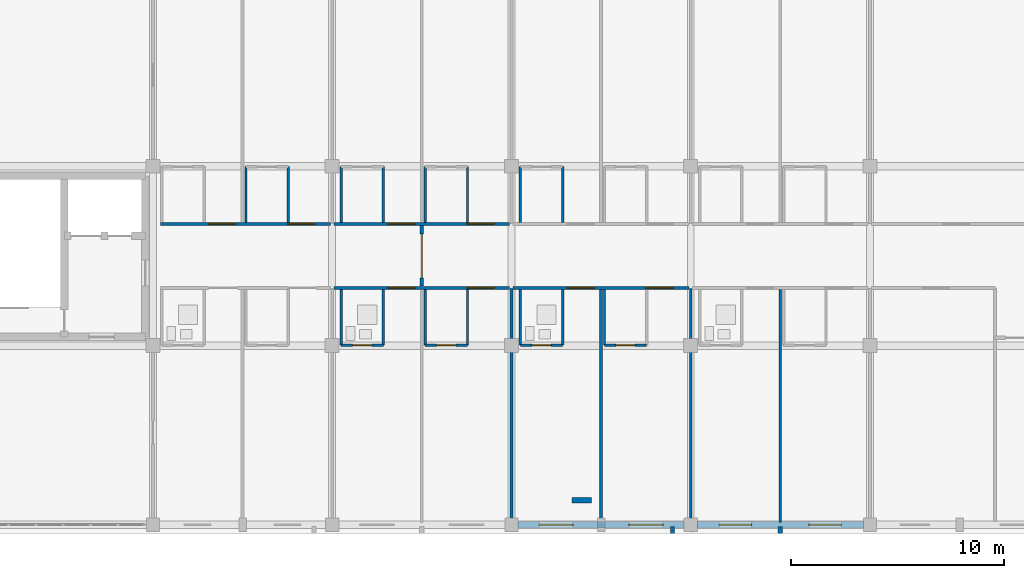
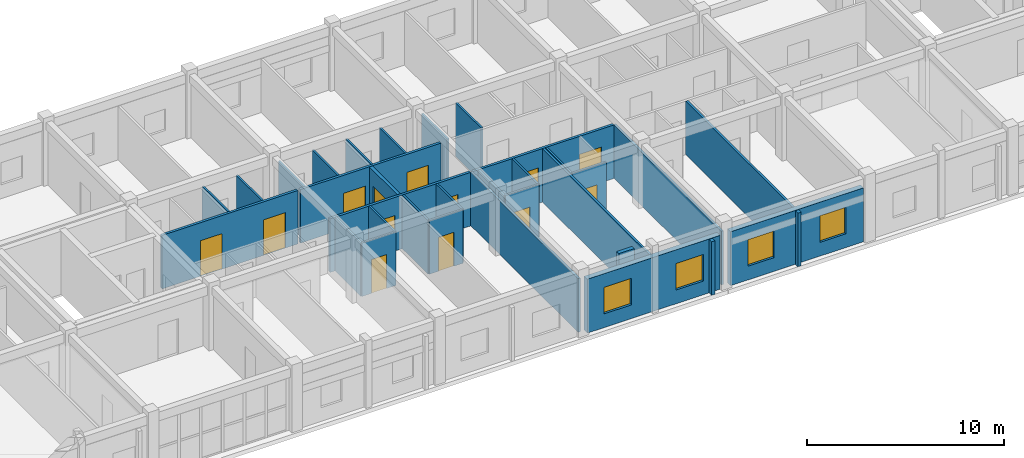
# One storey, part 59 of 81: 33 walls, 13 doors, 4 windows, 17 openings.
"""IFC4 building model written with IfcOpenShell, lengths in metres."""

import ifcopenshell
import ifcopenshell.guid

model = None  # the IFC model being written
_history = None  # IfcOwnerHistory: only IFC2X3 demands one
_inside = {}  # id of a spatial element -> (the spatial element, [elements in it])
_under = {}  # id of a project, library or spatial element -> (it, [spatial elements below it])
_declared = {}  # id of a project -> (the project, [libraries it declares])
_typed = {}  # id of a type object -> (the type object, [elements of that type])
_made_of = {}  # id of a material, layer set ... -> (it, [elements and type objects made of it])


def new_model(schema):
    """Start an empty IFC model of exactly this schema.

    Asked for "IFC4X3", IfcOpenShell would pick the latest addendum, in which some entities
    have other attributes; the version numbers below select the first issue.
    IFC2X3 requires an IfcOwnerHistory on every rooted entity: one is made here for all.
    """
    global model, _history
    if schema == "IFC4X3":
        model = ifcopenshell.file(schema_version=(4, 3, 0, 0))
    else:
        model = ifcopenshell.file(schema=schema)
    _inside.clear()
    _under.clear()
    _declared.clear()
    _typed.clear()
    _made_of.clear()
    _history = None
    if model.schema == "IFC2X3":
        org = make("IfcOrganization", Name="unknown")
        user = make(
            "IfcPersonAndOrganization",
            ThePerson=make("IfcPerson", FamilyName="unknown"),
            TheOrganization=org,
        )
        app = make(
            "IfcApplication",
            ApplicationDeveloper=org,
            Version="unknown",
            ApplicationFullName="unknown",
            ApplicationIdentifier="unknown",
        )
        _history = make(
            "IfcOwnerHistory",
            OwningUser=user,
            OwningApplication=app,
            ChangeAction="ADDED",
            CreationDate=0,
        )
    return model


def make(cls, **values):
    """One entity of the class cls with the attributes given. An attribute that is None is left unset."""
    return model.create_entity(
        cls, **{name: value for name, value in values.items() if value is not None}
    )


def rooted(cls, **values):
    """An entity with a GlobalId (a new one), such as an element, a storey or a relation."""
    return make(cls, GlobalId=ifcopenshell.guid.new(), OwnerHistory=_history, **values)


def si_unit(unit_type, name, prefix=None):
    """IfcSIUnit, for example si_unit("LENGTHUNIT", "METRE", prefix="MILLI")."""
    return make("IfcSIUnit", UnitType=unit_type, Prefix=prefix, Name=name)


def assignment(units):
    """IfcUnitAssignment: the units of a project."""
    return None if units is None else make("IfcUnitAssignment", Units=units)


def point(xyz):
    """IfcCartesianPoint."""
    return None if xyz is None else make("IfcCartesianPoint", Coordinates=xyz)


def direction(xyz):
    """IfcDirection."""
    return None if xyz is None else make("IfcDirection", DirectionRatios=xyz)


def frame(location, z_axis=None, x_axis=None):
    """IfcAxis2Placement3D, a coordinate frame: its origin and axes. An axis left out is left unset."""
    return make(
        "IfcAxis2Placement3D",
        Location=point(location),
        Axis=direction(z_axis),
        RefDirection=direction(x_axis),
    )


def frame_2d(location, x_axis=None):
    """IfcAxis2Placement2D, a coordinate frame in the plane: its origin and x axis."""
    return make(
        "IfcAxis2Placement2D", Location=point(location), RefDirection=direction(x_axis)
    )


def origin():
    """The frame at (0, 0, 0) with its axes left unset."""
    return frame((0.0, 0.0, 0.0))


def place(relative_to, where):
    """IfcLocalPlacement: puts the frame where relative to a parent placement (None: the world)."""
    return make(
        "IfcLocalPlacement", PlacementRelTo=relative_to, RelativePlacement=where
    )


def context(
    kind, dimensions, precision=None, world=None, true_north=None, identifier=None
):
    """IfcGeometricRepresentationContext, for example the 3D "Model" context."""
    return make(
        "IfcGeometricRepresentationContext",
        ContextIdentifier=identifier,
        ContextType=kind,
        CoordinateSpaceDimension=dimensions,
        Precision=precision,
        WorldCoordinateSystem=world,
        TrueNorth=true_north,
    )


def subcontext(parent, identifier, kind, view, scale=None):
    """IfcGeometricRepresentationSubContext, for example "Body" below "Model"."""
    return make(
        "IfcGeometricRepresentationSubContext",
        ContextIdentifier=identifier,
        ContextType=kind,
        ParentContext=parent,
        TargetScale=scale,
        TargetView=view,
    )


def project(units=None, contexts=None):
    """IfcProject with its units and contexts."""
    return rooted(
        "IfcProject",
        Name="project",
        RepresentationContexts=contexts,
        UnitsInContext=assignment(units),
    )


def spatial(cls, under=None, at=None, **own):
    """A site, building, storey or space (cls), placed at a placement, below another one or the project."""
    s = rooted(cls, ObjectPlacement=at, **own)
    if under is not None:
        _under.setdefault(under.id(), (under, []))[1].append(s)
    return s


def profile(cls, at=None, kind="AREA", **sizes):
    """A parametric profile (cls). Its sizes go by their IFC names, for example OverallWidth=200.0."""
    return make(cls, ProfileType=kind, Position=at, **sizes)


def rectangle(**sizes):
    """IfcRectangleProfileDef."""
    return profile("IfcRectangleProfileDef", **sizes)


def extrude(swept, where, along, depth):
    """IfcExtrudedAreaSolid: the profile swept, set in the frame where, extruded along a direction by depth."""
    return make(
        "IfcExtrudedAreaSolid",
        SweptArea=swept,
        Position=where,
        ExtrudedDirection=direction(along),
        Depth=depth,
    )


def shape(context_of_items, identifier, shape_type, items):
    """IfcShapeRepresentation: the items that make up one representation, for example the "Body"."""
    return make(
        "IfcShapeRepresentation",
        ContextOfItems=context_of_items,
        RepresentationIdentifier=identifier,
        RepresentationType=shape_type,
        Items=items,
    )


def material(Name=None, Category=None):
    """IfcMaterial."""
    return make("IfcMaterial", Name=Name, Category=Category)


def layer(
    of_material, thickness, ventilated=None, Name=None, Category=None, Priority=None
):
    """IfcMaterialLayer: one layer of a wall or slab, of a material (None: an air gap)."""
    return make(
        "IfcMaterialLayer",
        Material=of_material,
        LayerThickness=thickness,
        IsVentilated=ventilated,
        Name=Name,
        Category=Category,
        Priority=Priority,
    )


def layer_set(layers, Name=None):
    """IfcMaterialLayerSet."""
    return make("IfcMaterialLayerSet", MaterialLayers=layers, LayerSetName=Name)


def made_of(thing, what):
    """Note that an element or type object is made of a material, layer set ...; save() writes the relation."""
    if what is not None:
        _made_of.setdefault(what.id(), (what, []))[1].append(thing)
    return thing


def type_object(cls, material=None, **own):
    """A type object (cls), such as IfcWallType, which elements share."""
    return made_of(rooted(cls, **own), material)


def element(
    cls,
    number,
    at=None,
    inside=None,
    cuts=None,
    type_object=None,
    material=None,
    context=None,
    identifier="Body",
    shape_type=None,
    held_by="IfcProductDefinitionShape",
    body=None,
    shapes=None,
    **own,
):
    """One element of the class cls, such as IfcWall. Its Tag is "e" and its number.

    at: its placement. inside: the storey or other place that contains it. cuts: it is an
    opening in that element (IfcRelVoidsElement). A single representation is given by context,
    identifier, shape_type and body (its items); several are given by shapes. held_by: the class
    of the entity that holds the representations. save() writes the other relations.
    """
    e = rooted(cls, Tag="e%d" % number, ObjectPlacement=at, **own)
    if body is not None:
        shapes = [shape(context, identifier, shape_type, body)]
    if shapes is not None:
        e.Representation = make(held_by, Representations=shapes)
    if inside is not None:
        _inside.setdefault(inside.id(), (inside, []))[1].append(e)
    if cuts is not None:
        rooted(
            "IfcRelVoidsElement", RelatingBuildingElement=cuts, RelatedOpeningElement=e
        )
    if type_object is not None:
        _typed.setdefault(type_object.id(), (type_object, []))[1].append(e)
    return made_of(e, material)


def fill(opening, filler):
    """IfcRelFillsElement: the door or window that sits in an opening."""
    return rooted(
        "IfcRelFillsElement",
        RelatingOpeningElement=opening,
        RelatedBuildingElement=filler,
    )


def aggregate(whole, parts):
    """IfcRelAggregates: a whole, such as a stair, and the parts it consists of."""
    return rooted("IfcRelAggregates", RelatingObject=whole, RelatedObjects=parts)


def save(model, path):
    """Write the relations noted so far, then the file.

    IfcRelAggregates (storeys below a building ...), IfcRelContainedInSpatialStructure (elements
    in a storey), IfcRelDefinesByType, IfcRelAssociatesMaterial and IfcRelDeclares: one each for
    every whole, place, type object, material and project.
    """
    for whole, parts in _under.values():
        aggregate(whole, parts)
    for where, things in _inside.values():
        rooted(
            "IfcRelContainedInSpatialStructure",
            RelatedElements=things,
            RelatingStructure=where,
        )
    for kind, things in _typed.values():
        rooted("IfcRelDefinesByType", RelatedObjects=things, RelatingType=kind)
    for what, things in _made_of.values():
        rooted("IfcRelAssociatesMaterial", RelatedObjects=things, RelatingMaterial=what)
    for by, libraries in _declared.values():
        rooted("IfcRelDeclares", RelatingContext=by, RelatedDefinitions=libraries)
    model.write(path)


model = new_model("IFC4")

# Units and contexts
model_context = context("Model", 3, precision=1e-05, world=origin(), true_north=direction((0.0, 1.0)))
body_context = subcontext(model_context, "Body", "Model", "MODEL_VIEW")
ifc_project = project(units=[si_unit("LENGTHUNIT", "METRE"), si_unit("AREAUNIT", "SQUARE_METRE"), si_unit("VOLUMEUNIT", "CUBIC_METRE"), si_unit("PLANEANGLEUNIT", "RADIAN"), si_unit("MASSUNIT", "GRAM", prefix="KILO")], contexts=[model_context])

# Site, building, storey
site_placement = place(None, origin())
site = spatial("IfcSite", under=ifc_project, at=site_placement, CompositionType="ELEMENT")
building_placement = place(site_placement, origin())
building = spatial("IfcBuilding", under=site, at=building_placement, Name="Trelvath General Hospital", CompositionType="ELEMENT")
storey_placement = place(building_placement, frame((0.0, 0.0, 24.60009765625)))
storey = spatial("IfcBuildingStorey", under=building, at=storey_placement, Name="L06", CompositionType="ELEMENT", Elevation=24.60009765625)

# Walls
ifc_material_1 = material(Name="Precast concrete C40/50", Category="concrete")
ifc_layer_1 = layer(ifc_material_1, 0.199951171875)
ifc_layer_set_1 = layer_set([ifc_layer_1], Name="Precast concrete C40/50")
wall_type_1 = type_object("IfcWallType", Name="BriseSoleilRib 200", PredefinedType="ELEMENTEDWALL", material=ifc_layer_set_1)
for number, where, z_axis, x_axis, name in (
    (1, (74.749755859375, -0.074951171875, 0.0), (0.0, 0.0, 1.0), (0.0, -1.0, 0.0), "Precast Concrete Brise-Soleil Rib Fin L06-427"),
    (2, (79.800048828125, -0.074951171875, 0.0), (0.0, 0.0, 1.0), (0.0, -1.0, 0.0), "Precast Concrete Brise-Soleil Rib Fin L06-431"),
):
    element("IfcWall", number, at=place(storey_placement, frame(where, z_axis=z_axis, x_axis=x_axis)), inside=storey, type_object=wall_type_1, Name=name, PredefinedType="ELEMENTEDWALL", context=body_context, shape_type="SweptSolid", body=[
        extrude(rectangle(XDim=0.340087890625, YDim=0.199951171875, at=frame_2d((0.169921875, 0.0))), origin(), (0.0, 0.0, 1.0), 3.31982421875),
    ])

# Wall, openings, doors
ifc_material_2 = material(Name="Gypsum acoustic steel-stud partition", Category="steel")
ifc_layer_2 = layer(ifc_material_2, 0.14990234375)
ifc_layer_set_2 = layer_set([ifc_layer_2], Name="Gypsum acoustic steel-stud partition")
wall_type_2 = type_object("IfcWallType", Name="ClinicalPartition 150", PredefinedType="PARTITIONING", material=ifc_layer_set_2)
wall_1_placement = place(storey_placement, frame((58.719970703125, 14.10009765625, 0.0), z_axis=(0.0, 0.0, 1.0), x_axis=(-1.0, 0.0, 0.0)))
wall_1 = element("IfcWall", 3, at=wall_1_placement, inside=storey, type_object=wall_type_2, Name="Corridor Partition N L06-2054", PredefinedType="PARTITIONING", context=body_context, shape_type="SweptSolid", body=[
    extrude(rectangle(XDim=7.9599609375, YDim=0.14990234375, at=frame_2d((3.97998046875, 0.0))), origin(), (0.0, 0.0, 1.0), 3.31982421875),
])
opening_1_placement = place(wall_1_placement, frame((0.72998046875, 0.0, 0.0)))
opening_1 = element("IfcOpeningElement", 4, at=opening_1_placement, cuts=wall_1, Name="Opening D-6-1321", PredefinedType="OPENING", context=body_context, shape_type="SweptSolid", body=[
    extrude(rectangle(XDim=1.280029296875, YDim=2.199951171875, at=frame_2d((0.64013671875, 1.10009765625))), frame((0.0, 0.0849609375, 0.0), z_axis=(0.0, -1.0, 0.0), x_axis=(1.0, 0.0, 0.0)), (0.0, 0.0, 1.0), 0.169921875),
])
opening_2_placement = place(wall_1_placement, frame((4.429931640625, 0.0, 0.0)))
opening_2 = element("IfcOpeningElement", 5, at=opening_2_placement, cuts=wall_1, Name="Opening D-6-1322", PredefinedType="OPENING", context=body_context, shape_type="SweptSolid", body=[
    extrude(rectangle(XDim=1.280029296875, YDim=2.199951171875, at=frame_2d((0.64013671875, 1.10009765625))), frame((0.0, 0.0849609375, 0.0), z_axis=(0.0, -1.0, 0.0), x_axis=(1.0, 0.0, 0.0)), (0.0, 0.0, 1.0), 0.169921875),
])
ifc_material_3 = material(Name="Pediatric ward timber door", Category="wood")
door_type_1 = type_object("IfcDoorType", Name="Door PatientPeds 1280x2200", OperationType="NOTDEFINED", PredefinedType="DOOR", material=ifc_material_3)
door_1_placement = place(opening_1_placement, origin())
door_1 = element("IfcDoor", 6, at=door_1_placement, inside=storey, type_object=door_type_1, Name="Patient Room Door N L06-1321", OperationType="SINGLE_SWING_RIGHT", OverallHeight=2.199951171875, OverallWidth=1.280029296875, PredefinedType="DOOR", context=body_context, shape_type="SweptSolid", body=[
    extrude(rectangle(XDim=1.280029296875, YDim=2.199951171875, at=frame_2d((0.64013671875, 1.10009765625))), frame((0.0, 0.02490234375, 0.0), z_axis=(0.0, -1.0, 0.0), x_axis=(1.0, 0.0, 0.0)), (0.0, 0.0, 1.0), 0.050048828125),
])
fill(opening_1, door_1)
door_2_placement = place(opening_2_placement, origin())
door_2 = element("IfcDoor", 7, at=door_2_placement, inside=storey, type_object=door_type_1, Name="Patient Room Door N L06-1322", OperationType="SINGLE_SWING_RIGHT", OverallHeight=2.199951171875, OverallWidth=1.280029296875, PredefinedType="DOOR", context=body_context, shape_type="SweptSolid", body=[
    extrude(rectangle(XDim=1.280029296875, YDim=2.199951171875, at=frame_2d((0.64013671875, 1.10009765625))), frame((0.0, 0.02490234375, 0.0), z_axis=(0.0, -1.0, 0.0), x_axis=(1.0, 0.0, 0.0)), (0.0, 0.0, 1.0), 0.050048828125),
])
fill(opening_2, door_2)

wall_2_placement = place(storey_placement, frame((58.8798828125, 11.10009765625, 0.0), z_axis=(0.0, 0.0, 1.0), x_axis=(1.0, 0.0, 0.0)))
wall_2 = element("IfcWall", 8, at=wall_2_placement, inside=storey, type_object=wall_type_2, Name="Corridor Partition L06-2064", PredefinedType="PARTITIONING", context=body_context, shape_type="SweptSolid", body=[
    extrude(rectangle(XDim=8.240234375, YDim=0.14990234375, at=frame_2d((4.1201171875, 0.0))), origin(), (0.0, 0.0, 1.0), 3.31982421875),
])
opening_3_placement = place(wall_2_placement, frame((2.530029296875, 0.0, 0.0)))
opening_3 = element("IfcOpeningElement", 9, at=opening_3_placement, cuts=wall_2, Name="Opening D-6-1325", PredefinedType="OPENING", context=body_context, shape_type="SweptSolid", body=[
    extrude(rectangle(XDim=1.280029296875, YDim=2.199951171875, at=frame_2d((0.64013671875, 1.10009765625))), frame((0.0, 0.0849609375, 0.0), z_axis=(0.0, -1.0, 0.0), x_axis=(1.0, 0.0, 0.0)), (0.0, 0.0, 1.0), 0.169921875),
])
opening_4_placement = place(wall_2_placement, frame((6.22998046875, 0.0, 0.0)))
opening_4 = element("IfcOpeningElement", 10, at=opening_4_placement, cuts=wall_2, Name="Opening D-6-1326", PredefinedType="OPENING", context=body_context, shape_type="SweptSolid", body=[
    extrude(rectangle(XDim=1.280029296875, YDim=2.199951171875, at=frame_2d((0.64013671875, 1.10009765625))), frame((0.0, 0.0849609375, 0.0), z_axis=(0.0, -1.0, 0.0), x_axis=(1.0, 0.0, 0.0)), (0.0, 0.0, 1.0), 0.169921875),
])
door_3_placement = place(opening_3_placement, origin())
door_3 = element("IfcDoor", 11, at=door_3_placement, inside=storey, type_object=door_type_1, Name="Patient Room Door L06-1325", OperationType="SINGLE_SWING_LEFT", OverallHeight=2.199951171875, OverallWidth=1.280029296875, PredefinedType="DOOR", context=body_context, shape_type="SweptSolid", body=[
    extrude(rectangle(XDim=1.280029296875, YDim=2.199951171875, at=frame_2d((0.64013671875, 1.10009765625))), frame((0.0, 0.02490234375, 0.0), z_axis=(0.0, -1.0, 0.0), x_axis=(1.0, 0.0, 0.0)), (0.0, 0.0, 1.0), 0.050048828125),
])
fill(opening_3, door_3)
door_4_placement = place(opening_4_placement, origin())
door_4 = element("IfcDoor", 12, at=door_4_placement, inside=storey, type_object=door_type_1, Name="Patient Room Door L06-1326", OperationType="SINGLE_SWING_RIGHT", OverallHeight=2.199951171875, OverallWidth=1.280029296875, PredefinedType="DOOR", context=body_context, shape_type="SweptSolid", body=[
    extrude(rectangle(XDim=1.280029296875, YDim=2.199951171875, at=frame_2d((0.64013671875, 1.10009765625))), frame((0.0, 0.02490234375, 0.0), z_axis=(0.0, -1.0, 0.0), x_axis=(1.0, 0.0, 0.0)), (0.0, 0.0, 1.0), 0.050048828125),
])
fill(opening_4, door_4)

wall_3_placement = place(storey_placement, frame((67.1201171875, 14.10009765625, 0.0), z_axis=(0.0, 0.0, 1.0), x_axis=(-1.0, 0.0, 0.0)))
wall_3 = element("IfcWall", 13, at=wall_3_placement, inside=storey, type_object=wall_type_2, Name="Corridor Partition N L06-2072", PredefinedType="PARTITIONING", context=body_context, shape_type="SweptSolid", body=[
    extrude(rectangle(XDim=8.240234375, YDim=0.14990234375, at=frame_2d((4.1201171875, 0.0))), origin(), (0.0, 0.0, 1.0), 3.31982421875),
])
opening_5_placement = place(wall_3_placement, frame((0.72998046875, 0.0, 0.0)))
opening_5 = element("IfcOpeningElement", 14, at=opening_5_placement, cuts=wall_3, Name="Opening D-6-1329", PredefinedType="OPENING", context=body_context, shape_type="SweptSolid", body=[
    extrude(rectangle(XDim=1.280029296875, YDim=2.199951171875, at=frame_2d((0.64013671875, 1.10009765625))), frame((0.0, 0.0849609375, 0.0), z_axis=(0.0, -1.0, 0.0), x_axis=(1.0, 0.0, 0.0)), (0.0, 0.0, 1.0), 0.169921875),
])
opening_6_placement = place(wall_3_placement, frame((4.429931640625, 0.0, 0.0)))
opening_6 = element("IfcOpeningElement", 15, at=opening_6_placement, cuts=wall_3, Name="Opening D-6-1330", PredefinedType="OPENING", context=body_context, shape_type="SweptSolid", body=[
    extrude(rectangle(XDim=1.280029296875, YDim=2.199951171875, at=frame_2d((0.64013671875, 1.10009765625))), frame((0.0, 0.0849609375, 0.0), z_axis=(0.0, -1.0, 0.0), x_axis=(1.0, 0.0, 0.0)), (0.0, 0.0, 1.0), 0.169921875),
])
door_5_placement = place(opening_5_placement, origin())
door_5 = element("IfcDoor", 16, at=door_5_placement, inside=storey, type_object=door_type_1, Name="Patient Room Door N L06-1329", OperationType="SINGLE_SWING_LEFT", OverallHeight=2.199951171875, OverallWidth=1.280029296875, PredefinedType="DOOR", context=body_context, shape_type="SweptSolid", body=[
    extrude(rectangle(XDim=1.280029296875, YDim=2.199951171875, at=frame_2d((0.64013671875, 1.10009765625))), frame((0.0, 0.02490234375, 0.0), z_axis=(0.0, -1.0, 0.0), x_axis=(1.0, 0.0, 0.0)), (0.0, 0.0, 1.0), 0.050048828125),
])
fill(opening_5, door_5)
door_6_placement = place(opening_6_placement, origin())
door_6 = element("IfcDoor", 17, at=door_6_placement, inside=storey, type_object=door_type_1, Name="Patient Room Door N L06-1330", OperationType="SINGLE_SWING_LEFT", OverallHeight=2.199951171875, OverallWidth=1.280029296875, PredefinedType="DOOR", context=body_context, shape_type="SweptSolid", body=[
    extrude(rectangle(XDim=1.280029296875, YDim=2.199951171875, at=frame_2d((0.64013671875, 1.10009765625))), frame((0.0, 0.02490234375, 0.0), z_axis=(0.0, -1.0, 0.0), x_axis=(1.0, 0.0, 0.0)), (0.0, 0.0, 1.0), 0.050048828125),
])
fill(opening_6, door_6)

wall_4_placement = place(storey_placement, frame((67.280029296875, 11.10009765625, 0.0), z_axis=(0.0, 0.0, 1.0), x_axis=(1.0, 0.0, 0.0)))
wall_4 = element("IfcWall", 18, at=wall_4_placement, inside=storey, type_object=wall_type_2, Name="Corridor Partition L06-2083", PredefinedType="PARTITIONING", context=body_context, shape_type="SweptSolid", body=[
    extrude(rectangle(XDim=8.239990234375, YDim=0.14990234375, at=frame_2d((4.1201171875, 0.0))), origin(), (0.0, 0.0, 1.0), 3.31982421875),
])
opening_7_placement = place(wall_4_placement, frame((2.530029296875, 0.0, 0.0)))
opening_7 = element("IfcOpeningElement", 19, at=opening_7_placement, cuts=wall_4, Name="Opening D-6-1334", PredefinedType="OPENING", context=body_context, shape_type="SweptSolid", body=[
    extrude(rectangle(XDim=1.280029296875, YDim=2.199951171875, at=frame_2d((0.64013671875, 1.10009765625))), frame((0.0, 0.0849609375, 0.0), z_axis=(0.0, -1.0, 0.0), x_axis=(1.0, 0.0, 0.0)), (0.0, 0.0, 1.0), 0.169921875),
])
opening_8_placement = place(wall_4_placement, frame((6.22998046875, 0.0, 0.0)))
opening_8 = element("IfcOpeningElement", 20, at=opening_8_placement, cuts=wall_4, Name="Opening D-6-1335", PredefinedType="OPENING", context=body_context, shape_type="SweptSolid", body=[
    extrude(rectangle(XDim=1.280029296875, YDim=2.199951171875, at=frame_2d((0.64013671875, 1.10009765625))), frame((0.0, 0.0849609375, 0.0), z_axis=(0.0, -1.0, 0.0), x_axis=(1.0, 0.0, 0.0)), (0.0, 0.0, 1.0), 0.169921875),
])
door_7_placement = place(opening_7_placement, origin())
door_7 = element("IfcDoor", 21, at=door_7_placement, inside=storey, type_object=door_type_1, Name="Patient Room Door L06-1334", OperationType="SINGLE_SWING_RIGHT", OverallHeight=2.199951171875, OverallWidth=1.280029296875, PredefinedType="DOOR", context=body_context, shape_type="SweptSolid", body=[
    extrude(rectangle(XDim=1.280029296875, YDim=2.199951171875, at=frame_2d((0.64013671875, 1.10009765625))), frame((0.0, 0.02490234375, 0.0), z_axis=(0.0, -1.0, 0.0), x_axis=(1.0, 0.0, 0.0)), (0.0, 0.0, 1.0), 0.050048828125),
])
fill(opening_7, door_7)
door_8_placement = place(opening_8_placement, origin())
door_8 = element("IfcDoor", 22, at=door_8_placement, inside=storey, type_object=door_type_1, Name="Patient Room Door L06-1335", OperationType="SINGLE_SWING_LEFT", OverallHeight=2.199951171875, OverallWidth=1.280029296875, PredefinedType="DOOR", context=body_context, shape_type="SweptSolid", body=[
    extrude(rectangle(XDim=1.280029296875, YDim=2.199951171875, at=frame_2d((0.64013671875, 1.10009765625))), frame((0.0, 0.02490234375, 0.0), z_axis=(0.0, -1.0, 0.0), x_axis=(1.0, 0.0, 0.0)), (0.0, 0.0, 1.0), 0.050048828125),
])
fill(opening_8, door_8)

# Walls
ifc_material_4 = material(Name="Moisture-resistant tile partition")
ifc_layer_3 = layer(ifc_material_4, 0.110107421875)
ifc_layer_set_3 = layer_set([ifc_layer_3], Name="Moisture-resistant tile partition")
wall_type_3 = type_object("IfcWallType", Name="EnSuiteWetWall 110", PredefinedType="PARTITIONING", material=ifc_layer_set_3)
for number, where, z_axis, x_axis, name in (
    (23, (54.760009765625, 14.169921875, 0.0), (0.0, 0.0, 1.0), (0.0, 1.0, 0.0), "En-Suite W Wall N L06-2059"),
    (24, (56.739990234375, 14.169921875, 0.0), (0.0, 0.0, 1.0), (0.0, 1.0, 0.0), "En-Suite E Wall N L06-2060"),
    (25, (59.219970703125, 8.419921875, 0.0), (0.0, 0.0, 1.0), (0.0, 1.0, 0.0), "En-Suite W Wall L06-2066"),
    (26, (61.199951171875, 8.419921875, 0.0), (0.0, 0.0, 1.0), (0.0, 1.0, 0.0), "En-Suite E Wall L06-2067"),
):
    element("IfcWall", number, at=place(storey_placement, frame(where, z_axis=z_axis, x_axis=x_axis)), inside=storey, type_object=wall_type_3, Name=name, PredefinedType="PARTITIONING", context=body_context, shape_type="SweptSolid", body=[
        extrude(rectangle(XDim=2.610107421875, YDim=0.110107421875, at=frame_2d((1.30517578125, 0.0))), origin(), (0.0, 0.0, 1.0), 3.31982421875),
    ])

# Wall, opening, door
wall_5_placement = place(storey_placement, frame((59.219970703125, 8.419921875, 0.0), z_axis=(0.0, 0.0, 1.0), x_axis=(1.0, 0.0, 0.0)))
wall_5 = element("IfcWall", 27, at=wall_5_placement, inside=storey, type_object=wall_type_3, Name="En-Suite Bathroom Partition L06-2068", PredefinedType="PARTITIONING", context=body_context, shape_type="SweptSolid", body=[
    extrude(rectangle(XDim=1.97998046875, YDim=0.110107421875, at=frame_2d((0.989990234375, 0.0))), origin(), (0.0, 0.0, 1.0), 3.31982421875),
])
opening_9_placement = place(wall_5_placement, frame((0.5400390625, 0.0, 0.0)))
opening_9 = element("IfcOpeningElement", 28, at=opening_9_placement, cuts=wall_5, Name="Opening D-6-1327", PredefinedType="OPENING", context=body_context, shape_type="SweptSolid", body=[
    extrude(rectangle(XDim=0.89990234375, YDim=2.10009765625, at=frame_2d((0.449951171875, 1.050048828125))), frame((0.0, 0.06494140625, 0.0), z_axis=(0.0, -1.0, 0.0), x_axis=(1.0, 0.0, 0.0)), (0.0, 0.0, 1.0), 0.130126953125),
])
ifc_material_5 = material(Name="Moisture-sealed timber leaf", Category="wood")
door_type_2 = type_object("IfcDoorType", Name="Door EnSuite 900x2100", OperationType="NOTDEFINED", PredefinedType="DOOR", material=ifc_material_5)
door_9_placement = place(opening_9_placement, origin())
door_9 = element("IfcDoor", 29, at=door_9_placement, inside=storey, type_object=door_type_2, Name="En-Suite Bathroom Door L06-1327", OperationType="SINGLE_SWING_LEFT", OverallHeight=2.10009765625, OverallWidth=0.89990234375, PredefinedType="DOOR", context=body_context, shape_type="SweptSolid", body=[
    extrude(rectangle(XDim=0.89990234375, YDim=2.10009765625, at=frame_2d((0.449951171875, 1.050048828125))), frame((0.0, 0.02490234375, 0.0), z_axis=(0.0, -1.0, 0.0), x_axis=(1.0, 0.0, 0.0)), (0.0, 0.0, 1.0), 0.050048828125),
])
fill(opening_9, door_9)

# Walls
for number, where, z_axis, x_axis, name in (
    (30, (63.159912109375, 8.419921875, 0.0), (0.0, 0.0, 1.0), (0.0, 1.0, 0.0), "En-Suite W Wall L06-2069"),
    (31, (65.139892578125, 8.419921875, 0.0), (0.0, 0.0, 1.0), (0.0, 1.0, 0.0), "En-Suite E Wall L06-2070"),
):
    element("IfcWall", number, at=place(storey_placement, frame(where, z_axis=z_axis, x_axis=x_axis)), inside=storey, type_object=wall_type_3, Name=name, PredefinedType="PARTITIONING", context=body_context, shape_type="SweptSolid", body=[
        extrude(rectangle(XDim=2.610107421875, YDim=0.110107421875, at=frame_2d((1.30517578125, 0.0))), origin(), (0.0, 0.0, 1.0), 3.31982421875),
    ])

# Wall, opening, door
wall_6_placement = place(storey_placement, frame((63.159912109375, 8.419921875, 0.0), z_axis=(0.0, 0.0, 1.0), x_axis=(1.0, 0.0, 0.0)))
wall_6 = element("IfcWall", 32, at=wall_6_placement, inside=storey, type_object=wall_type_3, Name="En-Suite Bathroom Partition L06-2071", PredefinedType="PARTITIONING", context=body_context, shape_type="SweptSolid", body=[
    extrude(rectangle(XDim=1.97998046875, YDim=0.110107421875, at=frame_2d((0.989990234375, 0.0))), origin(), (0.0, 0.0, 1.0), 3.31982421875),
])
opening_10_placement = place(wall_6_placement, frame((0.5400390625, 0.0, 0.0)))
opening_10 = element("IfcOpeningElement", 33, at=opening_10_placement, cuts=wall_6, Name="Opening D-6-1328", PredefinedType="OPENING", context=body_context, shape_type="SweptSolid", body=[
    extrude(rectangle(XDim=0.89990234375, YDim=2.10009765625, at=frame_2d((0.449951171875, 1.050048828125))), frame((0.0, 0.06494140625, 0.0), z_axis=(0.0, -1.0, 0.0), x_axis=(1.0, 0.0, 0.0)), (0.0, 0.0, 1.0), 0.130126953125),
])
door_10_placement = place(opening_10_placement, origin())
door_10 = element("IfcDoor", 34, at=door_10_placement, inside=storey, type_object=door_type_2, Name="En-Suite Bathroom Door L06-1328", OperationType="SINGLE_SWING_RIGHT", OverallHeight=2.10009765625, OverallWidth=0.89990234375, PredefinedType="DOOR", context=body_context, shape_type="SweptSolid", body=[
    extrude(rectangle(XDim=0.89990234375, YDim=2.10009765625, at=frame_2d((0.449951171875, 1.050048828125))), frame((0.0, 0.02490234375, 0.0), z_axis=(0.0, -1.0, 0.0), x_axis=(1.0, 0.0, 0.0)), (0.0, 0.0, 1.0), 0.050048828125),
])
fill(opening_10, door_10)

# Walls
for number, where, z_axis, x_axis, name in (
    (35, (59.219970703125, 14.169921875, 0.0), (0.0, 0.0, 1.0), (0.0, 1.0, 0.0), "En-Suite W Wall N L06-2074"),
    (36, (61.199951171875, 14.169921875, 0.0), (0.0, 0.0, 1.0), (0.0, 1.0, 0.0), "En-Suite E Wall N L06-2075"),
    (37, (63.159912109375, 14.169921875, 0.0), (0.0, 0.0, 1.0), (0.0, 1.0, 0.0), "En-Suite W Wall N L06-2077"),
    (38, (65.139892578125, 14.169921875, 0.0), (0.0, 0.0, 1.0), (0.0, 1.0, 0.0), "En-Suite E Wall N L06-2078"),
    (39, (67.6201171875, 8.419921875, 0.0), (0.0, 0.0, 1.0), (0.0, 1.0, 0.0), "En-Suite W Wall L06-2085"),
    (40, (69.60009765625, 8.419921875, 0.0), (0.0, 0.0, 1.0), (0.0, 1.0, 0.0), "En-Suite E Wall L06-2086"),
):
    element("IfcWall", number, at=place(storey_placement, frame(where, z_axis=z_axis, x_axis=x_axis)), inside=storey, type_object=wall_type_3, Name=name, PredefinedType="PARTITIONING", context=body_context, shape_type="SweptSolid", body=[
        extrude(rectangle(XDim=2.610107421875, YDim=0.110107421875, at=frame_2d((1.30517578125, 0.0))), origin(), (0.0, 0.0, 1.0), 3.31982421875),
    ])

# Wall, opening, door
wall_7_placement = place(storey_placement, frame((67.6201171875, 8.419921875, 0.0), z_axis=(0.0, 0.0, 1.0), x_axis=(1.0, 0.0, 0.0)))
wall_7 = element("IfcWall", 41, at=wall_7_placement, inside=storey, type_object=wall_type_3, Name="En-Suite Bathroom Partition L06-2087", PredefinedType="PARTITIONING", context=body_context, shape_type="SweptSolid", body=[
    extrude(rectangle(XDim=1.97998046875, YDim=0.110107421875, at=frame_2d((0.989990234375, 0.0))), origin(), (0.0, 0.0, 1.0), 3.31982421875),
])
opening_11_placement = place(wall_7_placement, frame((0.5400390625, 0.0, 0.0)))
opening_11 = element("IfcOpeningElement", 42, at=opening_11_placement, cuts=wall_7, Name="Opening D-6-1336", PredefinedType="OPENING", context=body_context, shape_type="SweptSolid", body=[
    extrude(rectangle(XDim=0.89990234375, YDim=2.10009765625, at=frame_2d((0.449951171875, 1.050048828125))), frame((0.0, 0.06494140625, 0.0), z_axis=(0.0, -1.0, 0.0), x_axis=(1.0, 0.0, 0.0)), (0.0, 0.0, 1.0), 0.130126953125),
])
door_11_placement = place(opening_11_placement, origin())
door_11 = element("IfcDoor", 43, at=door_11_placement, inside=storey, type_object=door_type_2, Name="En-Suite Bathroom Door L06-1336", OperationType="SINGLE_SWING_RIGHT", OverallHeight=2.10009765625, OverallWidth=0.89990234375, PredefinedType="DOOR", context=body_context, shape_type="SweptSolid", body=[
    extrude(rectangle(XDim=0.89990234375, YDim=2.10009765625, at=frame_2d((0.449951171875, 1.050048828125))), frame((0.0, 0.02490234375, 0.0), z_axis=(0.0, -1.0, 0.0), x_axis=(1.0, 0.0, 0.0)), (0.0, 0.0, 1.0), 0.050048828125),
])
fill(opening_11, door_11)

# Wall
wall_8_placement = place(storey_placement, frame((71.56005859375, 8.419921875, 0.0), z_axis=(0.0, 0.0, 1.0), x_axis=(0.0, 1.0, 0.0)))
element("IfcWall", 44, at=wall_8_placement, inside=storey, type_object=wall_type_3, Name="En-Suite W Wall L06-2088", PredefinedType="PARTITIONING", context=body_context, shape_type="SweptSolid", body=[
    extrude(rectangle(XDim=2.610107421875, YDim=0.110107421875, at=frame_2d((1.30517578125, 0.0))), origin(), (0.0, 0.0, 1.0), 3.31982421875),
])

# Wall, opening, door
wall_9_placement = place(storey_placement, frame((71.56005859375, 8.419921875, 0.0), z_axis=(0.0, 0.0, 1.0), x_axis=(1.0, 0.0, 0.0)))
wall_9 = element("IfcWall", 45, at=wall_9_placement, inside=storey, type_object=wall_type_3, Name="En-Suite Bathroom Partition L06-2090", PredefinedType="PARTITIONING", context=body_context, shape_type="SweptSolid", body=[
    extrude(rectangle(XDim=1.97998046875, YDim=0.110107421875, at=frame_2d((0.989990234375, 0.0))), origin(), (0.0, 0.0, 1.0), 3.31982421875),
])
opening_12_placement = place(wall_9_placement, frame((0.5400390625, 0.0, 0.0)))
opening_12 = element("IfcOpeningElement", 46, at=opening_12_placement, cuts=wall_9, Name="Opening D-6-1337", PredefinedType="OPENING", context=body_context, shape_type="SweptSolid", body=[
    extrude(rectangle(XDim=0.89990234375, YDim=2.10009765625, at=frame_2d((0.449951171875, 1.050048828125))), frame((0.0, 0.06494140625, 0.0), z_axis=(0.0, -1.0, 0.0), x_axis=(1.0, 0.0, 0.0)), (0.0, 0.0, 1.0), 0.130126953125),
])
door_12_placement = place(opening_12_placement, origin())
door_12 = element("IfcDoor", 47, at=door_12_placement, inside=storey, type_object=door_type_2, Name="En-Suite Bathroom Door L06-1337", OperationType="SINGLE_SWING_LEFT", OverallHeight=2.10009765625, OverallWidth=0.89990234375, PredefinedType="DOOR", context=body_context, shape_type="SweptSolid", body=[
    extrude(rectangle(XDim=0.89990234375, YDim=2.10009765625, at=frame_2d((0.449951171875, 1.050048828125))), frame((0.0, 0.02490234375, 0.0), z_axis=(0.0, -1.0, 0.0), x_axis=(1.0, 0.0, 0.0)), (0.0, 0.0, 1.0), 0.050048828125),
])
fill(opening_12, door_12)

# Walls
for number, where, z_axis, x_axis, name in (
    (48, (67.6201171875, 14.169921875, 0.0), (0.0, 0.0, 1.0), (0.0, 1.0, 0.0), "En-Suite W Wall N L06-2094"),
    (49, (69.60009765625, 14.169921875, 0.0), (0.0, 0.0, 1.0), (0.0, 1.0, 0.0), "En-Suite E Wall N L06-2095"),
):
    element("IfcWall", number, at=place(storey_placement, frame(where, z_axis=z_axis, x_axis=x_axis)), inside=storey, type_object=wall_type_3, Name=name, PredefinedType="PARTITIONING", context=body_context, shape_type="SweptSolid", body=[
        extrude(rectangle(XDim=2.610107421875, YDim=0.110107421875, at=frame_2d((1.30517578125, 0.0))), origin(), (0.0, 0.0, 1.0), 3.31982421875),
    ])

# Wall, openings, windows
ifc_material_6 = material(Name="Concrete C35/45", Category="concrete")
ifc_layer_4 = layer(ifc_material_6, 0.320068359375)
ifc_layer_set_4 = layer_set([ifc_layer_4], Name="Concrete C35/45")
wall_type_4 = type_object("IfcWallType", Name="ExtThermalWall 320", PredefinedType="SOLIDWALL", material=ifc_layer_set_4)
wall_10_placement = place(storey_placement, frame((75.294921875, 0.0, 0.0), z_axis=(0.0, 0.0, 1.0), x_axis=(-1.0, 0.0, 0.0)))
wall_10 = element("IfcWall", 50, at=wall_10_placement, inside=storey, type_object=wall_type_4, Name="Exterior Concrete Wall L06-570", PredefinedType="SOLIDWALL", context=body_context, shape_type="SweptSolid", body=[
    extrude(rectangle(XDim=7.7900390625, YDim=0.320068359375, at=frame_2d((3.89501953125, 0.0))), origin(), (0.0, 0.0, 1.0), 3.33984375),
])
opening_13_placement = place(wall_10_placement, frame((0.99169921875, 0.0, 0.85009765625)))
opening_13 = element("IfcOpeningElement", 51, at=opening_13_placement, cuts=wall_10, Name="Opening WN-6-955", PredefinedType="OPENING", context=body_context, shape_type="SweptSolid", body=[
    extrude(rectangle(XDim=1.60009765625, YDim=1.64990234375, at=frame_2d((0.800048828125, 0.824951171875))), frame((0.0, 0.169921875, 0.0), z_axis=(0.0, -1.0, 0.0), x_axis=(1.0, 0.0, 0.0)), (0.0, 0.0, 1.0), 0.340087890625),
])
opening_14_placement = place(wall_10_placement, frame((5.1982421875, 0.0, 0.85009765625)))
opening_14 = element("IfcOpeningElement", 52, at=opening_14_placement, cuts=wall_10, Name="Opening WN-6-956", PredefinedType="OPENING", context=body_context, shape_type="SweptSolid", body=[
    extrude(rectangle(XDim=1.60009765625, YDim=1.64990234375, at=frame_2d((0.800048828125, 0.824951171875))), frame((0.0, 0.169921875, 0.0), z_axis=(0.0, -1.0, 0.0), x_axis=(1.0, 0.0, 0.0)), (0.0, 0.0, 1.0), 0.340087890625),
])
ifc_material_7 = material(Name="Low-E laminated glass", Category="glass")
window_type_1 = type_object("IfcWindowType", Name="Window WardNorth 1600x1650", PartitioningType="DOUBLE_PANEL_VERTICAL", PredefinedType="WINDOW", material=ifc_material_7)
window_1_placement = place(opening_13_placement, origin())
window_1 = element("IfcWindow", 53, at=window_1_placement, inside=storey, type_object=window_type_1, Name="Solar Reveal Window L06-955", OverallHeight=1.64990234375, OverallWidth=1.60009765625, PartitioningType="SINGLE_PANEL", PredefinedType="WINDOW", context=body_context, shape_type="SweptSolid", body=[
    extrude(rectangle(XDim=1.60009765625, YDim=1.64990234375, at=frame_2d((0.800048828125, 0.824951171875))), frame((0.0, 0.030029296875, 0.0), z_axis=(0.0, -1.0, 0.0), x_axis=(1.0, 0.0, 0.0)), (0.0, 0.0, 1.0), 0.06005859375),
])
fill(opening_13, window_1)
window_2_placement = place(opening_14_placement, origin())
window_2 = element("IfcWindow", 54, at=window_2_placement, inside=storey, type_object=window_type_1, Name="Solar Reveal Window L06-956", OverallHeight=1.64990234375, OverallWidth=1.60009765625, PartitioningType="SINGLE_PANEL", PredefinedType="WINDOW", context=body_context, shape_type="SweptSolid", body=[
    extrude(rectangle(XDim=1.60009765625, YDim=1.64990234375, at=frame_2d((0.800048828125, 0.824951171875))), frame((0.0, 0.030029296875, 0.0), z_axis=(0.0, -1.0, 0.0), x_axis=(1.0, 0.0, 0.0)), (0.0, 0.0, 1.0), 0.06005859375),
])
fill(opening_14, window_2)

wall_11_placement = place(storey_placement, frame((83.695068359375, 0.0, 0.0), z_axis=(0.0, 0.0, 1.0), x_axis=(-1.0, 0.0, 0.0)))
wall_11 = element("IfcWall", 55, at=wall_11_placement, inside=storey, type_object=wall_type_4, Name="Exterior Concrete Wall L06-574", PredefinedType="SOLIDWALL", context=body_context, shape_type="SweptSolid", body=[
    extrude(rectangle(XDim=7.7900390625, YDim=0.320068359375, at=frame_2d((3.89501953125, 0.0))), origin(), (0.0, 0.0, 1.0), 3.33984375),
])
opening_15_placement = place(wall_11_placement, frame((1.03173828125, 0.0, 0.85009765625)))
opening_15 = element("IfcOpeningElement", 56, at=opening_15_placement, cuts=wall_11, Name="Opening WN-6-963", PredefinedType="OPENING", context=body_context, shape_type="SweptSolid", body=[
    extrude(rectangle(XDim=1.52001953125, YDim=1.64990234375, at=frame_2d((0.760009765625, 0.824951171875))), frame((0.0, 0.169921875, 0.0), z_axis=(0.0, -1.0, 0.0), x_axis=(1.0, 0.0, 0.0)), (0.0, 0.0, 1.0), 0.340087890625),
])
opening_16_placement = place(wall_11_placement, frame((5.23828125, 0.0, 0.85009765625)))
opening_16 = element("IfcOpeningElement", 57, at=opening_16_placement, cuts=wall_11, Name="Opening WN-6-964", PredefinedType="OPENING", context=body_context, shape_type="SweptSolid", body=[
    extrude(rectangle(XDim=1.52001953125, YDim=1.64990234375, at=frame_2d((0.760009765625, 0.824951171875))), frame((0.0, 0.169921875, 0.0), z_axis=(0.0, -1.0, 0.0), x_axis=(1.0, 0.0, 0.0)), (0.0, 0.0, 1.0), 0.340087890625),
])
ifc_material_8 = material(Name="Low-E laminated glass", Category="glass")
window_type_2 = type_object("IfcWindowType", Name="Window WardNorth 1520x1650", PartitioningType="DOUBLE_PANEL_VERTICAL", PredefinedType="WINDOW", material=ifc_material_8)
window_3_placement = place(opening_15_placement, origin())
window_3 = element("IfcWindow", 58, at=window_3_placement, inside=storey, type_object=window_type_2, Name="Solar Reveal Window L06-963", OverallHeight=1.64990234375, OverallWidth=1.52001953125, PartitioningType="SINGLE_PANEL", PredefinedType="WINDOW", context=body_context, shape_type="SweptSolid", body=[
    extrude(rectangle(XDim=1.52001953125, YDim=1.64990234375, at=frame_2d((0.760009765625, 0.824951171875))), frame((0.0, 0.030029296875, 0.0), z_axis=(0.0, -1.0, 0.0), x_axis=(1.0, 0.0, 0.0)), (0.0, 0.0, 1.0), 0.06005859375),
])
fill(opening_15, window_3)
window_4_placement = place(opening_16_placement, origin())
window_4 = element("IfcWindow", 59, at=window_4_placement, inside=storey, type_object=window_type_2, Name="Solar Reveal Window L06-964", OverallHeight=1.64990234375, OverallWidth=1.52001953125, PartitioningType="SINGLE_PANEL", PredefinedType="WINDOW", context=body_context, shape_type="SweptSolid", body=[
    extrude(rectangle(XDim=1.52001953125, YDim=1.64990234375, at=frame_2d((0.760009765625, 0.824951171875))), frame((0.0, 0.030029296875, 0.0), z_axis=(0.0, -1.0, 0.0), x_axis=(1.0, 0.0, 0.0)), (0.0, 0.0, 1.0), 0.06005859375),
])
fill(opening_16, window_4)

# Wall
ifc_material_9 = material(Name="Masonry service chase blockwork", Category="masonry")
ifc_layer_5 = layer(ifc_material_9, 0.239990234375)
ifc_layer_set_5 = layer_set([ifc_layer_5], Name="Masonry service chase blockwork")
wall_type_5 = type_object("IfcWallType", Name="PlumbingChaseWall 240", PredefinedType="PLUMBINGWALL", material=ifc_layer_set_5)
wall_12_placement = place(storey_placement, frame((70.050048828125, 1.14990234375, 0.0), z_axis=(0.0, 0.0, 1.0), x_axis=(1.0, 0.0, 0.0)))
element("IfcWall", 60, at=wall_12_placement, inside=storey, type_object=wall_type_5, Name="Medical Gas Plumbing Chase L06-2091", PredefinedType="PLUMBINGWALL", context=body_context, shape_type="SweptSolid", body=[
    extrude(rectangle(XDim=0.89990234375, YDim=0.239990234375, at=frame_2d((0.449951171875, 0.0))), origin(), (0.0, 0.0, 1.0), 3.31982421875),
])

# Wall, opening, door
ifc_material_10 = material(Name="Masonry fire blockwork", Category="masonry")
ifc_layer_6 = layer(ifc_material_10, 0.179931640625)
ifc_layer_set_6 = layer_set([ifc_layer_6], Name="Masonry fire blockwork")
wall_type_6 = type_object("IfcWallType", Name="SmokeBarrierWall 180", PredefinedType="PARTITIONING", material=ifc_layer_set_6)
wall_13_placement = place(storey_placement, frame((63.0, 11.179931640625, 0.0), z_axis=(0.0, 0.0, 1.0), x_axis=(0.0, 1.0, 0.0)))
wall_13 = element("IfcWall", 61, at=wall_13_placement, inside=storey, type_object=wall_type_6, Name="Smoke Compartment Barrier L06-2080", PredefinedType="PARTITIONING", context=body_context, shape_type="SweptSolid", body=[
    extrude(rectangle(XDim=2.840087890625, YDim=0.179931640625, at=frame_2d((1.419921875, 0.0))), origin(), (0.0, 0.0, 1.0), 3.31982421875),
])
opening_17_placement = place(wall_13_placement, frame((0.39501953125, 0.0, 0.0)))
opening_17 = element("IfcOpeningElement", 62, at=opening_17_placement, cuts=wall_13, Name="Opening SD-6-1333", PredefinedType="OPENING", context=body_context, shape_type="SweptSolid", body=[
    extrude(rectangle(XDim=2.050048828125, YDim=2.35009765625, at=frame_2d((1.02490234375, 1.175048828125))), frame((0.0, 0.099853515625, 0.0), z_axis=(0.0, -1.0, 0.0), x_axis=(1.0, 0.0, 0.0)), (0.0, 0.0, 1.0), 0.199951171875),
])
ifc_material_11 = material(Name="Fire-rated steel cross-corridor pair", Category="steel")
door_type_3 = type_object("IfcDoorType", Name="Door SmokeCross 2050x2350", OperationType="DOUBLE_SWING_LEFT", PredefinedType="DOOR", material=ifc_material_11)
door_13_placement = place(opening_17_placement, origin())
door_13 = element("IfcDoor", 63, at=door_13_placement, inside=storey, type_object=door_type_3, Name="Cross-Corridor Smoke Door L06-1333", OperationType="SLIDING_TO_LEFT", OverallHeight=2.35009765625, OverallWidth=2.050048828125, PredefinedType="DOOR", context=body_context, shape_type="SweptSolid", body=[
    extrude(rectangle(XDim=2.050048828125, YDim=2.35009765625, at=frame_2d((1.02490234375, 1.175048828125))), frame((0.0, 0.02490234375, 0.0), z_axis=(0.0, -1.0, 0.0), x_axis=(1.0, 0.0, 0.0)), (0.0, 0.0, 1.0), 0.050048828125),
])
fill(opening_17, door_13)

# Walls
ifc_material_12 = material(Name="Gypsum acoustic steel-stud partition", Category="steel")
ifc_layer_7 = layer(ifc_material_12, 0.1298828125)
ifc_layer_set_7 = layer_set([ifc_layer_7], Name="Gypsum acoustic steel-stud partition")
wall_type_7 = type_object("IfcWallType", Name="WardPartition 130", PredefinedType="PARTITIONING", material=ifc_layer_set_7)
wall_14_placement = place(storey_placement, frame((67.199951171875, 0.139892578125, 0.0), z_axis=(0.0, 0.0, 1.0), x_axis=(0.0, 1.0, 0.0)))
element("IfcWall", 64, at=wall_14_placement, inside=storey, type_object=wall_type_7, Name="Inter-Bay Ward Partition S L06-2081", PredefinedType="PARTITIONING", context=body_context, shape_type="SweptSolid", body=[
    extrude(rectangle(XDim=10.940185546875, YDim=0.1298828125, at=frame_2d((5.47021484375, 0.0))), origin(), (0.0, 0.0, 1.0), 3.31982421875),
])
wall_15_placement = place(storey_placement, frame((71.39990234375, 0.10009765625, 0.0), z_axis=(0.0, 0.0, 1.0), x_axis=(0.0, 1.0, 0.0)))
element("IfcWall", 65, at=wall_15_placement, inside=storey, type_object=wall_type_7, Name="Room Dividing Partition S L06-2084", PredefinedType="PARTITIONING", context=body_context, shape_type="SweptSolid", body=[
    extrude(rectangle(XDim=10.929931640625, YDim=0.1298828125, at=frame_2d((5.46484375, 0.0))), origin(), (0.0, 0.0, 1.0), 3.31982421875),
])
wall_16_placement = place(storey_placement, frame((75.60009765625, 0.139892578125, 0.0), z_axis=(0.0, 0.0, 1.0), x_axis=(0.0, 1.0, 0.0)))
element("IfcWall", 66, at=wall_16_placement, inside=storey, type_object=wall_type_7, Name="Inter-Bay Ward Partition S L06-2100", PredefinedType="PARTITIONING", context=body_context, shape_type="SweptSolid", body=[
    extrude(rectangle(XDim=10.940185546875, YDim=0.1298828125, at=frame_2d((5.47021484375, 0.0))), origin(), (0.0, 0.0, 1.0), 3.31982421875),
])
wall_17_placement = place(storey_placement, frame((79.800048828125, 0.10009765625, 0.0), z_axis=(0.0, 0.0, 1.0), x_axis=(0.0, 1.0, 0.0)))
element("IfcWall", 67, at=wall_17_placement, inside=storey, type_object=wall_type_7, Name="Room Dividing Partition S L06-2103", PredefinedType="PARTITIONING", context=body_context, shape_type="SweptSolid", body=[
    extrude(rectangle(XDim=10.929931640625, YDim=0.1298828125, at=frame_2d((5.46484375, 0.0))), origin(), (0.0, 0.0, 1.0), 3.31982421875),
])

save(model, "model.ifc")
